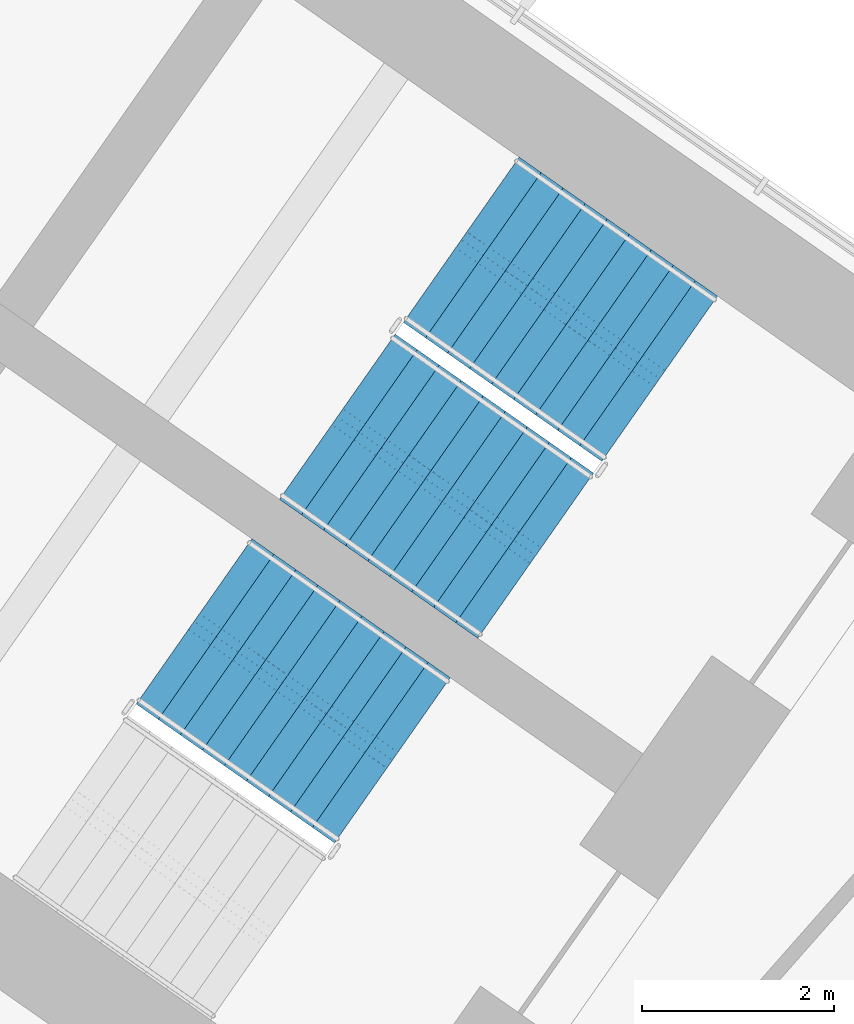
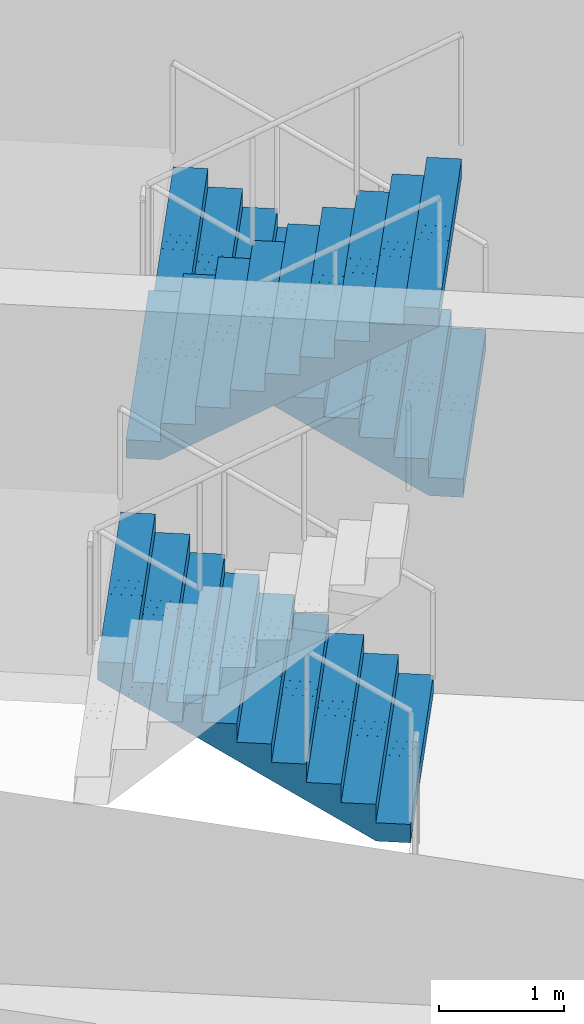
# One storey, part 17 of 23: 3 stair flights, 2 elements without a shape of their own.
"""IFC4 building model written with IfcOpenShell, lengths in metres."""

from ifc_helpers import new_model, si_unit, direction, frame, origin, place, context, subcontext, project, spatial, polyline, outline, extrude, material, type_object, element, aggregate, save


model = new_model("IFC4")

# Units and contexts
model_context = context("Model", 3, precision=1e-05, world=origin(), true_north=direction((0.0, 1.0)))
body_context = subcontext(model_context, "Body", "Model", "MODEL_VIEW")
ifc_project = project(units=[si_unit("LENGTHUNIT", "METRE"), si_unit("AREAUNIT", "SQUARE_METRE"), si_unit("VOLUMEUNIT", "CUBIC_METRE"), si_unit("PLANEANGLEUNIT", "RADIAN"), si_unit("MASSUNIT", "GRAM", prefix="KILO")], contexts=[model_context])

# Site, building, storey
site_placement = place(None, origin())
site = spatial("IfcSite", under=ifc_project, at=site_placement, CompositionType="ELEMENT")
building_placement = place(site_placement, origin())
building = spatial("IfcBuilding", under=site, at=building_placement, Name="Tel Ilan Convention Tower", CompositionType="ELEMENT")
storey_placement = place(building_placement, frame((0.0, 0.0, 115.699951171875)))
storey = spatial("IfcBuildingStorey", under=building, at=storey_placement, Name="L25", CompositionType="ELEMENT", Elevation=115.699951171875)

# Stair, stair flights
ifc_material_1 = material(Name="Concrete C40/50", Category="concrete")
stair_type = type_object("IfcStairType", Name="Pressurised Exit Stair 20 risers 180 mm", PredefinedType="HALF_TURN_STAIR", material=ifc_material_1)
stair_1_placement = place(storey_placement, origin())
stair_1 = element("IfcStair", 1, at=stair_1_placement, inside=storey, type_object=stair_type, Name="L25 Pressurised Stair S3", PredefinedType="HALF_TURN_STAIR")
ifc_material_2 = material(Name="Precast Concrete C40/50", Category="concrete")
stair_flight_type = type_object("IfcStairFlightType", Name="Concrete Stair Flight 2100 mm 20 risers 180 mm", PredefinedType="STRAIGHT", material=ifc_material_2)
stair_flight_1_placement = place(storey_placement, frame((24.25244140625, -7.032470703125, 0.0), z_axis=(0.0, 0.0, 1.0), x_axis=(-0.819152044289, 0.573576436351, 0.0)))
stair_flight_1 = element("IfcStairFlight", 2, at=stair_flight_1_placement, type_object=stair_flight_type, Name="S3 flight 1", NumberOfRisers=10, NumberOfTreads=9, PredefinedType="STRAIGHT", RiserHeight=0.18, TreadLength=0.28, context=body_context, shape_type="SweptSolid", body=[
    extrude(outline(polyline([(0.0, 0.0), (0.0, 0.179931640625), (0.280029296875, 0.179931640625), (0.280029296875, 0.360107421875), (0.56005859375, 0.360107421875), (0.56005859375, 0.5400390625), (0.840087890625, 0.5400390625), (0.840087890625, 0.719970703125), (1.1201171875, 0.719970703125), (1.1201171875, 0.89990234375), (1.39990234375, 0.89990234375), (1.39990234375, 1.080078125), (1.679931640625, 1.080078125), (1.679931640625, 1.260009765625), (1.9599609375, 1.260009765625), (1.9599609375, 1.43994140625), (2.239990234375, 1.43994140625), (2.239990234375, 1.6201171875), (2.52001953125, 1.6201171875), (2.52001953125, 1.800048828125), (2.52001953125, 1.44189453125), (0.277099609375, 0.0), (0.0, 0.0)])), frame((0.0, -0.100341796875, 0.0), z_axis=(0.0, -1.0, 0.0), x_axis=(1.0, 0.0, 0.0)), (0.0, 0.0, 1.0), 0.94970703125),
    extrude(outline(polyline([(0.0, 0.0), (0.0, 0.179931640625), (0.280029296875, 0.179931640625), (0.280029296875, 0.360107421875), (0.56005859375, 0.360107421875), (0.56005859375, 0.5400390625), (0.840087890625, 0.5400390625), (0.840087890625, 0.719970703125), (1.1201171875, 0.719970703125), (1.1201171875, 0.89990234375), (1.39990234375, 0.89990234375), (1.39990234375, 1.080078125), (1.679931640625, 1.080078125), (1.679931640625, 1.260009765625), (1.9599609375, 1.260009765625), (1.9599609375, 1.43994140625), (2.239990234375, 1.43994140625), (2.239990234375, 1.6201171875), (2.52001953125, 1.6201171875), (2.52001953125, 1.800048828125), (2.52001953125, 1.44189453125), (0.277099609375, 0.0), (0.0, 0.0)])), frame((0.0, -0.000244140625, 0.0), z_axis=(0.0, -1.0, 0.0), x_axis=(1.0, 0.0, 0.0)), (0.0, 0.0, 1.0), 0.099609375),
    extrude(outline(polyline([(0.0, 0.0), (0.0, 0.179931640625), (0.280029296875, 0.179931640625), (0.280029296875, 0.360107421875), (0.56005859375, 0.360107421875), (0.56005859375, 0.5400390625), (0.840087890625, 0.5400390625), (0.840087890625, 0.719970703125), (1.1201171875, 0.719970703125), (1.1201171875, 0.89990234375), (1.39990234375, 0.89990234375), (1.39990234375, 1.080078125), (1.679931640625, 1.080078125), (1.679931640625, 1.260009765625), (1.9599609375, 1.260009765625), (1.9599609375, 1.43994140625), (2.239990234375, 1.43994140625), (2.239990234375, 1.6201171875), (2.52001953125, 1.6201171875), (2.52001953125, 1.800048828125), (2.52001953125, 1.44189453125), (0.277099609375, 0.0), (0.0, 0.0)])), frame((0.0, 0.099853515625, 0.0), z_axis=(0.0, -1.0, 0.0), x_axis=(1.0, 0.0, 0.0)), (0.0, 0.0, 1.0), 0.099609375),
    extrude(outline(polyline([(0.0, 0.0), (0.0, 0.179931640625), (0.280029296875, 0.179931640625), (0.280029296875, 0.360107421875), (0.56005859375, 0.360107421875), (0.56005859375, 0.5400390625), (0.840087890625, 0.5400390625), (0.840087890625, 0.719970703125), (1.1201171875, 0.719970703125), (1.1201171875, 0.89990234375), (1.39990234375, 0.89990234375), (1.39990234375, 1.080078125), (1.679931640625, 1.080078125), (1.679931640625, 1.260009765625), (1.9599609375, 1.260009765625), (1.9599609375, 1.43994140625), (2.239990234375, 1.43994140625), (2.239990234375, 1.6201171875), (2.52001953125, 1.6201171875), (2.52001953125, 1.800048828125), (2.52001953125, 1.44189453125), (0.277099609375, 0.0), (0.0, 0.0)])), frame((0.0, 1.050048828125, 0.0), z_axis=(0.0, -1.0, 0.0), x_axis=(1.0, 0.0, 0.0)), (0.0, 0.0, 1.0), 0.94970703125),
])
stair_flight_2_placement = place(storey_placement, frame((20.8974609375, -7.43017578125, 1.800048828125), z_axis=(0.0, 0.0, 1.0), x_axis=(0.819152044289, -0.573576436351, 0.0)))
stair_flight_2 = element("IfcStairFlight", 3, at=stair_flight_2_placement, type_object=stair_flight_type, Name="S3 flight 2", NumberOfRisers=10, NumberOfTreads=9, PredefinedType="STRAIGHT", RiserHeight=0.18, TreadLength=0.28, context=body_context, shape_type="SweptSolid", body=[
    extrude(outline(polyline([(0.0, 0.0), (0.0, 0.179931640625), (0.280029296875, 0.179931640625), (0.280029296875, 0.360107421875), (0.56005859375, 0.360107421875), (0.56005859375, 0.5400390625), (0.840087890625, 0.5400390625), (0.840087890625, 0.719970703125), (1.1201171875, 0.719970703125), (1.1201171875, 0.89990234375), (1.39990234375, 0.89990234375), (1.39990234375, 1.080078125), (1.679931640625, 1.080078125), (1.679931640625, 1.260009765625), (1.9599609375, 1.260009765625), (1.9599609375, 1.43994140625), (2.239990234375, 1.43994140625), (2.239990234375, 1.6201171875), (2.52001953125, 1.6201171875), (2.52001953125, 1.800048828125), (2.52001953125, 1.44189453125), (0.277099609375, 0.0), (0.0, 0.0)])), frame((0.0, -0.100341796875, 0.0), z_axis=(0.0, -1.0, 0.0), x_axis=(1.0, 0.0, 0.0)), (0.0, 0.0, 1.0), 0.94970703125),
    extrude(outline(polyline([(0.0, 0.0), (0.0, 0.179931640625), (0.280029296875, 0.179931640625), (0.280029296875, 0.360107421875), (0.56005859375, 0.360107421875), (0.56005859375, 0.5400390625), (0.840087890625, 0.5400390625), (0.840087890625, 0.719970703125), (1.1201171875, 0.719970703125), (1.1201171875, 0.89990234375), (1.39990234375, 0.89990234375), (1.39990234375, 1.080078125), (1.679931640625, 1.080078125), (1.679931640625, 1.260009765625), (1.9599609375, 1.260009765625), (1.9599609375, 1.43994140625), (2.239990234375, 1.43994140625), (2.239990234375, 1.6201171875), (2.52001953125, 1.6201171875), (2.52001953125, 1.800048828125), (2.52001953125, 1.44189453125), (0.277099609375, 0.0), (0.0, 0.0)])), frame((0.0, -0.000244140625, 0.0), z_axis=(0.0, -1.0, 0.0), x_axis=(1.0, 0.0, 0.0)), (0.0, 0.0, 1.0), 0.099609375),
    extrude(outline(polyline([(0.0, 0.0), (0.0, 0.179931640625), (0.280029296875, 0.179931640625), (0.280029296875, 0.360107421875), (0.56005859375, 0.360107421875), (0.56005859375, 0.5400390625), (0.840087890625, 0.5400390625), (0.840087890625, 0.719970703125), (1.1201171875, 0.719970703125), (1.1201171875, 0.89990234375), (1.39990234375, 0.89990234375), (1.39990234375, 1.080078125), (1.679931640625, 1.080078125), (1.679931640625, 1.260009765625), (1.9599609375, 1.260009765625), (1.9599609375, 1.43994140625), (2.239990234375, 1.43994140625), (2.239990234375, 1.6201171875), (2.52001953125, 1.6201171875), (2.52001953125, 1.800048828125), (2.52001953125, 1.44189453125), (0.277099609375, 0.0), (0.0, 0.0)])), frame((0.0, 0.099853515625, 0.0), z_axis=(0.0, -1.0, 0.0), x_axis=(1.0, 0.0, 0.0)), (0.0, 0.0, 1.0), 0.099609375),
    extrude(outline(polyline([(0.0, 0.0), (0.0, 0.179931640625), (0.280029296875, 0.179931640625), (0.280029296875, 0.360107421875), (0.56005859375, 0.360107421875), (0.56005859375, 0.5400390625), (0.840087890625, 0.5400390625), (0.840087890625, 0.719970703125), (1.1201171875, 0.719970703125), (1.1201171875, 0.89990234375), (1.39990234375, 0.89990234375), (1.39990234375, 1.080078125), (1.679931640625, 1.080078125), (1.679931640625, 1.260009765625), (1.9599609375, 1.260009765625), (1.9599609375, 1.43994140625), (2.239990234375, 1.43994140625), (2.239990234375, 1.6201171875), (2.52001953125, 1.6201171875), (2.52001953125, 1.800048828125), (2.52001953125, 1.44189453125), (0.277099609375, 0.0), (0.0, 0.0)])), frame((0.0, 1.050048828125, 0.0), z_axis=(0.0, -1.0, 0.0), x_axis=(1.0, 0.0, 0.0)), (0.0, 0.0, 1.0), 0.94970703125),
])
aggregate(stair_1, [stair_flight_1, stair_flight_2])

# Stair, stair flight
stair_2_placement = place(storey_placement, origin())
stair_2 = element("IfcStair", 4, at=stair_2_placement, inside=storey, type_object=stair_type, Name="L25 Pressurised Stair S4", PredefinedType="HALF_TURN_STAIR")
stair_flight_3_placement = place(storey_placement, frame((21.470458984375, -11.00537109375, 0.0), z_axis=(0.0, 0.0, 1.0), x_axis=(-0.819152044289, 0.573576436351, 0.0)))
stair_flight_3 = element("IfcStairFlight", 5, at=stair_flight_3_placement, type_object=stair_flight_type, Name="S4 flight 1", NumberOfRisers=10, NumberOfTreads=9, PredefinedType="STRAIGHT", RiserHeight=0.18, TreadLength=0.28, context=body_context, shape_type="SweptSolid", body=[
    extrude(outline(polyline([(0.0, 0.0), (0.0, 0.179931640625), (0.280029296875, 0.179931640625), (0.280029296875, 0.360107421875), (0.56005859375, 0.360107421875), (0.56005859375, 0.5400390625), (0.840087890625, 0.5400390625), (0.840087890625, 0.719970703125), (1.1201171875, 0.719970703125), (1.1201171875, 0.89990234375), (1.39990234375, 0.89990234375), (1.39990234375, 1.080078125), (1.679931640625, 1.080078125), (1.679931640625, 1.260009765625), (1.9599609375, 1.260009765625), (1.9599609375, 1.43994140625), (2.239990234375, 1.43994140625), (2.239990234375, 1.6201171875), (2.52001953125, 1.6201171875), (2.52001953125, 1.800048828125), (2.52001953125, 1.44189453125), (0.277099609375, 0.0), (0.0, 0.0)])), frame((0.0, -0.100341796875, 0.0), z_axis=(0.0, -1.0, 0.0), x_axis=(1.0, 0.0, 0.0)), (0.0, 0.0, 1.0), 0.94970703125),
    extrude(outline(polyline([(0.0, 0.0), (0.0, 0.179931640625), (0.280029296875, 0.179931640625), (0.280029296875, 0.360107421875), (0.56005859375, 0.360107421875), (0.56005859375, 0.5400390625), (0.840087890625, 0.5400390625), (0.840087890625, 0.719970703125), (1.1201171875, 0.719970703125), (1.1201171875, 0.89990234375), (1.39990234375, 0.89990234375), (1.39990234375, 1.080078125), (1.679931640625, 1.080078125), (1.679931640625, 1.260009765625), (1.9599609375, 1.260009765625), (1.9599609375, 1.43994140625), (2.239990234375, 1.43994140625), (2.239990234375, 1.6201171875), (2.52001953125, 1.6201171875), (2.52001953125, 1.800048828125), (2.52001953125, 1.44189453125), (0.277099609375, 0.0), (0.0, 0.0)])), frame((0.0, -0.000244140625, 0.0), z_axis=(0.0, -1.0, 0.0), x_axis=(1.0, 0.0, 0.0)), (0.0, 0.0, 1.0), 0.099609375),
    extrude(outline(polyline([(0.0, 0.0), (0.0, 0.179931640625), (0.280029296875, 0.179931640625), (0.280029296875, 0.360107421875), (0.56005859375, 0.360107421875), (0.56005859375, 0.5400390625), (0.840087890625, 0.5400390625), (0.840087890625, 0.719970703125), (1.1201171875, 0.719970703125), (1.1201171875, 0.89990234375), (1.39990234375, 0.89990234375), (1.39990234375, 1.080078125), (1.679931640625, 1.080078125), (1.679931640625, 1.260009765625), (1.9599609375, 1.260009765625), (1.9599609375, 1.43994140625), (2.239990234375, 1.43994140625), (2.239990234375, 1.6201171875), (2.52001953125, 1.6201171875), (2.52001953125, 1.800048828125), (2.52001953125, 1.44189453125), (0.277099609375, 0.0), (0.0, 0.0)])), frame((0.0, 0.099853515625, 0.0), z_axis=(0.0, -1.0, 0.0), x_axis=(1.0, 0.0, 0.0)), (0.0, 0.0, 1.0), 0.099609375),
    extrude(outline(polyline([(0.0, 0.0), (0.0, 0.179931640625), (0.280029296875, 0.179931640625), (0.280029296875, 0.360107421875), (0.56005859375, 0.360107421875), (0.56005859375, 0.5400390625), (0.840087890625, 0.5400390625), (0.840087890625, 0.719970703125), (1.1201171875, 0.719970703125), (1.1201171875, 0.89990234375), (1.39990234375, 0.89990234375), (1.39990234375, 1.080078125), (1.679931640625, 1.080078125), (1.679931640625, 1.260009765625), (1.9599609375, 1.260009765625), (1.9599609375, 1.43994140625), (2.239990234375, 1.43994140625), (2.239990234375, 1.6201171875), (2.52001953125, 1.6201171875), (2.52001953125, 1.800048828125), (2.52001953125, 1.44189453125), (0.277099609375, 0.0), (0.0, 0.0)])), frame((0.0, 1.050048828125, 0.0), z_axis=(0.0, -1.0, 0.0), x_axis=(1.0, 0.0, 0.0)), (0.0, 0.0, 1.0), 0.94970703125),
])
aggregate(stair_2, [stair_flight_3])

save(model, "model.ifc")
